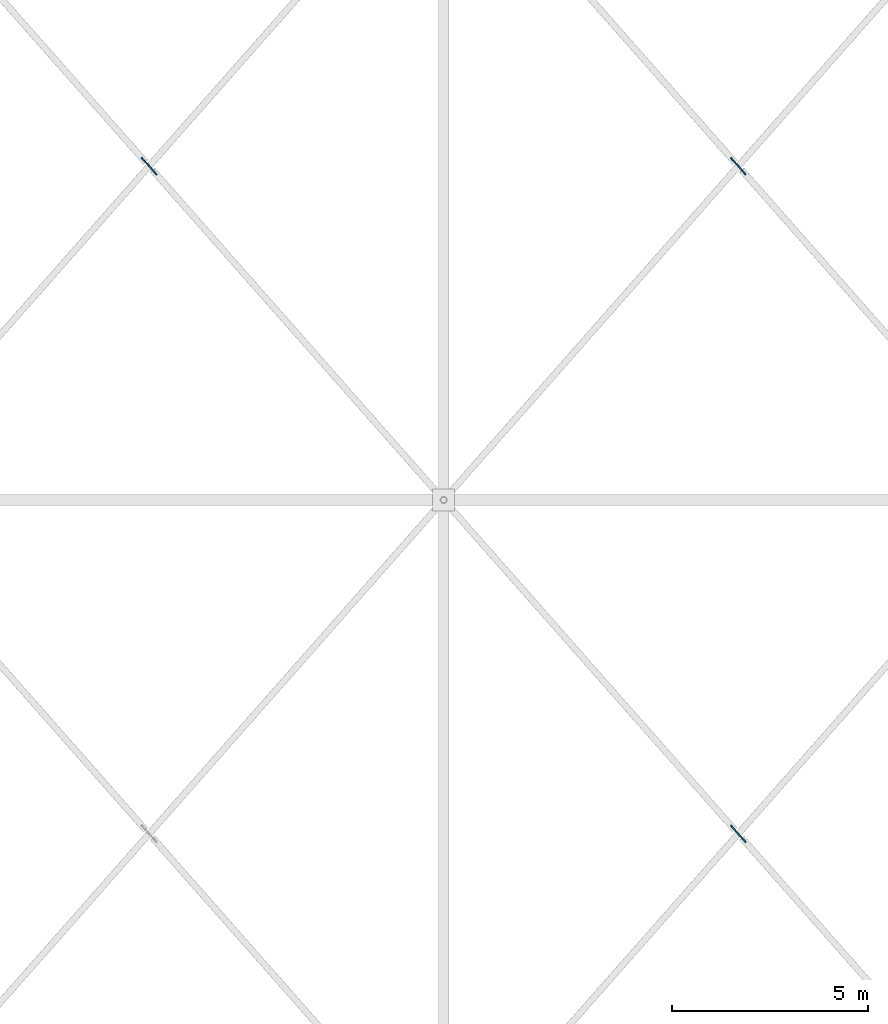
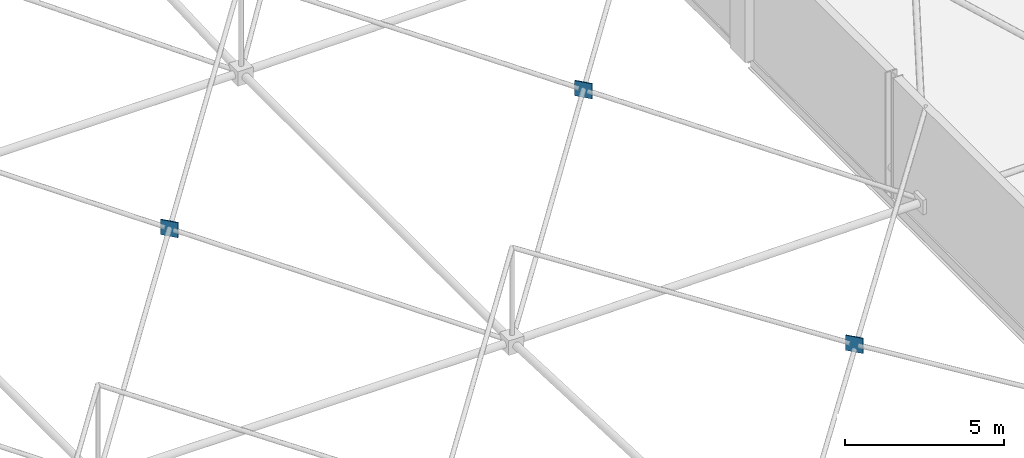
# One storey, part 182 of 224: 3 plates.
"""IFC4 building model written with IfcOpenShell, lengths in metres."""

from ifc_helpers import new_model, si_unit, direction, frame, origin, origin_2d, place, context, subcontext, project, spatial, rectangle, extrude, material, layer, layer_set, type_object, element, save


model = new_model("IFC4")

# Units and contexts
model_context = context("Model", 3, precision=1e-05, world=origin(), true_north=direction((0.0, 1.0)))
body_context = subcontext(model_context, "Body", "Model", "MODEL_VIEW")
ifc_project = project(units=[si_unit("LENGTHUNIT", "METRE"), si_unit("AREAUNIT", "SQUARE_METRE"), si_unit("VOLUMEUNIT", "CUBIC_METRE"), si_unit("PLANEANGLEUNIT", "RADIAN"), si_unit("MASSUNIT", "GRAM", prefix="KILO")], contexts=[model_context])

# Site, building, storey
site_placement = place(None, origin())
site = spatial("IfcSite", under=ifc_project, at=site_placement, CompositionType="ELEMENT")
building_placement = place(site_placement, origin())
building = spatial("IfcBuilding", under=site, at=building_placement, Name="Qamarlyn Nura Convention Centre", CompositionType="ELEMENT")
storey_placement = place(building_placement, frame((0.0, 0.0, 10.800048828125)))
storey = spatial("IfcBuildingStorey", under=building, at=storey_placement, Name="L02", CompositionType="ELEMENT", Elevation=10.800048828125)

# Plates
ifc_material = material(Name="Structural steel ASTM A572 Grade 50", Category="steel")
ifc_layer = layer(ifc_material, 0.035888671875, Name="GP-SN1")
ifc_layer_set = layer_set([ifc_layer], Name="Structural steel ASTM A572 Grade 50")
plate_type = type_object("IfcPlateType", Name="GP-SN1", PredefinedType="USERDEFINED", material=ifc_layer_set)
for number, where, z_axis, x_axis, name in (
    (1, (97.5, 60.5, 2.310546875), (0.0, 0.0, 1.0), (-0.661622086957, 0.749837458421, 0.0), "Space frame X-brace crossing gusset plate 8-4"),
    (2, (112.5, 43.5, 2.935791015625), (0.0, 0.0, 1.0), (-0.661622086957, 0.749837458421, 0.0), "Space frame X-brace crossing gusset plate 9-3"),
    (3, (112.5, 60.5, 2.37939453125), (0.0, 0.0, 1.0), (-0.661622086957, 0.749837458421, 0.0), "Space frame X-brace crossing gusset plate 9-4"),
):
    element("IfcPlate", number, at=place(storey_placement, frame(where, z_axis=z_axis, x_axis=x_axis)), inside=storey, type_object=plate_type, Name=name, ObjectType="GUSSET PLATE", PredefinedType="USERDEFINED", context=body_context, shape_type="SweptSolid", body=[
        extrude(rectangle(XDim=0.580078125, YDim=0.035888671875, at=origin_2d()), origin(), (0.0, 0.0, 1.0), 0.580078125),
    ])

save(model, "model.ifc")
